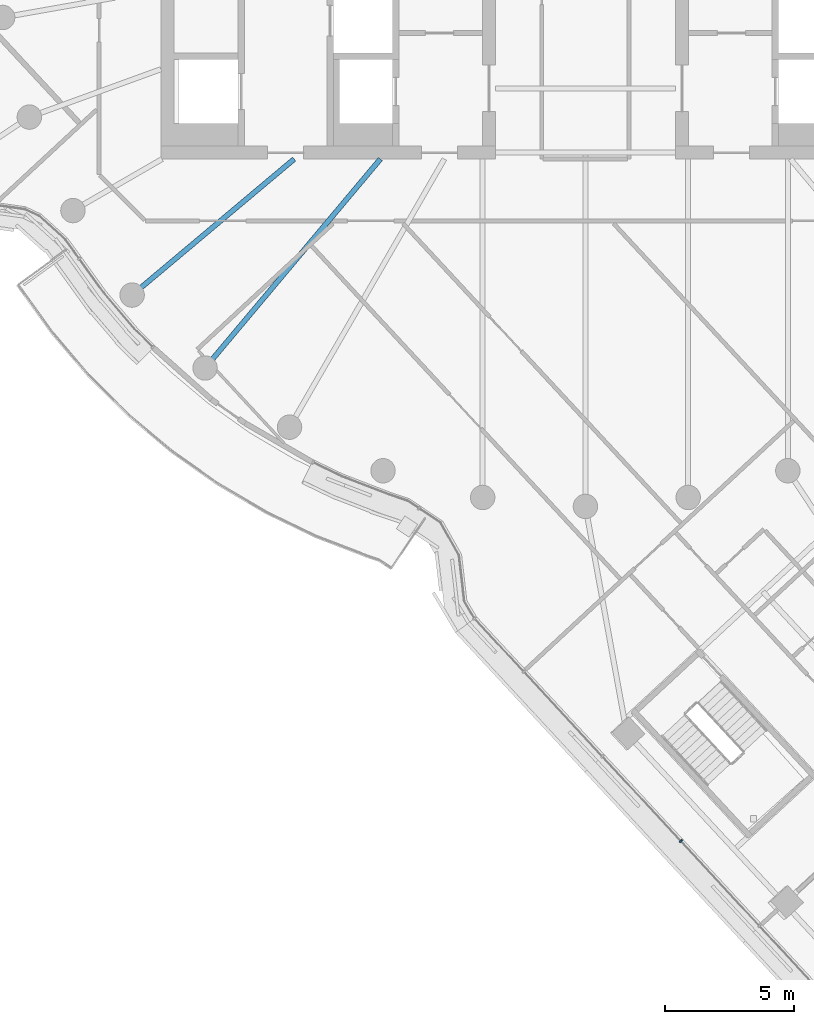
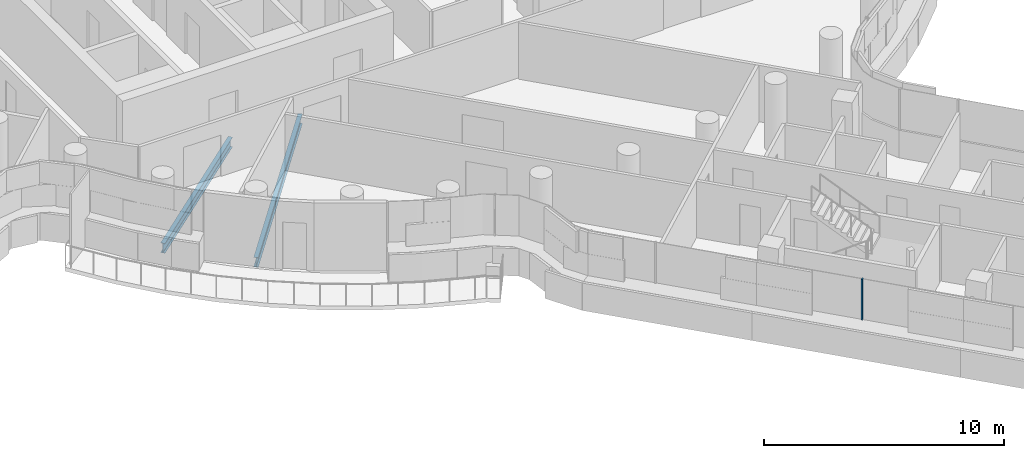
# One storey, part 4 of 34: 2 beams, 1 member, 1 element without a shape of its own.
"""IFC4 building model written with IfcOpenShell, lengths in metres."""

from ifc_helpers import new_model, si_unit, direction, frame, origin, origin_2d, place, context, subcontext, project, spatial, rectangle, i_section, extrude, material, layer, layer_set, material_profile, profile_set, type_object, element, aggregate, save


model = new_model("IFC4")

# Units and contexts
model_context = context("Model", 3, precision=1e-05, world=origin(), true_north=direction((0.0, 1.0)))
body_context = subcontext(model_context, "Body", "Model", "MODEL_VIEW")
ifc_project = project(units=[si_unit("LENGTHUNIT", "METRE"), si_unit("AREAUNIT", "SQUARE_METRE"), si_unit("VOLUMEUNIT", "CUBIC_METRE"), si_unit("PLANEANGLEUNIT", "RADIAN"), si_unit("MASSUNIT", "GRAM", prefix="KILO")], contexts=[model_context])

# Site, building, storey
site_placement = place(None, origin())
site = spatial("IfcSite", under=ifc_project, at=site_placement, CompositionType="ELEMENT")
building_placement = place(site_placement, origin())
building = spatial("IfcBuilding", under=site, at=building_placement, Name="Tamarind Cross Interchange Tower", CompositionType="ELEMENT")
storey_placement = place(building_placement, frame((0.0, 0.0, 189.699951171875)))
storey = spatial("IfcBuildingStorey", under=building, at=storey_placement, Name="L47", CompositionType="ELEMENT", Elevation=189.699951171875)

# Beams
ifc_material_1 = material(Name="Steel Q355B", Category="steel")
ifc_material_profile_1 = material_profile(ifc_material_1, i_section(OverallWidth=0.198974609375, OverallDepth=0.49609375, WebThickness=0.009033203125, FlangeThickness=0.013916015625, FilletRadius=0.012939453125, at=origin_2d()), Name="HN 496x199x9x14")
ifc_profile_set_1 = profile_set([ifc_material_profile_1], Name="Steel Q355B")
beam_type = type_object("IfcBeamType", Name="Composite beam HN 496x199x9x14 Q355B", PredefinedType="BEAM", material=ifc_profile_set_1)
beam_1_placement = place(storey_placement, frame((-17.619140625, -14.7841796875, -0.387939453125), z_axis=(0.766040580814, 0.642792212574, 0.0), x_axis=(-0.642792212574, 0.766040580814, 0.0)))
element("IfcBeam", 1, at=beam_1_placement, inside=storey, type_object=beam_type, Name="Beam HH22", PredefinedType="BEAM", context=body_context, shape_type="SweptSolid", body=[
    extrude(i_section(OverallWidth=0.198974609375, OverallDepth=0.49609375, WebThickness=0.009033203125, FlangeThickness=0.013916015625, FilletRadius=0.012939453125, at=origin_2d()), origin(), (0.0, 0.0, 1.0), 8.220703125),
])
beam_2_placement = place(storey_placement, frame((-14.7841796875, -17.619140625, -0.387939453125), z_axis=(0.642786293979, 0.766045547127, 0.0), x_axis=(-0.766045547127, 0.642786293979, 0.0)))
element("IfcBeam", 2, at=beam_2_placement, inside=storey, type_object=beam_type, Name="Beam HH23", PredefinedType="BEAM", context=body_context, shape_type="SweptSolid", body=[
    extrude(i_section(OverallWidth=0.198974609375, OverallDepth=0.49609375, WebThickness=0.009033203125, FlangeThickness=0.013916015625, FilletRadius=0.012939453125, at=origin_2d()), origin(), (0.0, 0.0, 1.0), 10.598876953125),
])

# Curtain wall, member
ifc_material_2 = material(Name="Aluminium 6063-T6", Category="aluminium")
ifc_layer = layer(ifc_material_2, 0.139892578125)
ifc_layer_set = layer_set([ifc_layer], Name="Aluminium 6063-T6")
curtain_wall_type = type_object("IfcCurtainWallType", Name="Hotel curtain wall, 4.5 m bays", PredefinedType="NOTDEFINED", material=ifc_layer_set)
curtain_wall_placement = place(storey_placement, origin())
curtain_wall = element("IfcCurtainWall", 3, at=curtain_wall_placement, inside=storey, type_object=curtain_wall_type, Name="CWS-L47-11", PredefinedType="NOTDEFINED")
ifc_material_profile_2 = material_profile(ifc_material_2, rectangle(XDim=0.06005859375, YDim=0.139892578125, at=origin_2d()), Name="Mullion CW2")
ifc_profile_set_2 = profile_set([ifc_material_profile_2], Name="Aluminium 6063-T6")
member_type = type_object("IfcMemberType", Name="Mullion CW2", PredefinedType="MULLION", material=ifc_profile_set_2)
member_placement = place(storey_placement, frame((3.713134765625, -36.006103515625, 1.400146484375), z_axis=(0.0, 0.0, 1.0), x_axis=(0.679912424958, -0.73329332084, 0.0)))
member = element("IfcMember", 4, at=member_placement, type_object=member_type, Name="CWM-L47-11-03", PredefinedType="MULLION", context=body_context, shape_type="SweptSolid", body=[
    extrude(rectangle(XDim=0.06005859375, YDim=0.139892578125, at=origin_2d()), origin(), (0.0, 0.0, 1.0), 2.059814453125),
])
aggregate(curtain_wall, [member])

save(model, "model.ifc")
